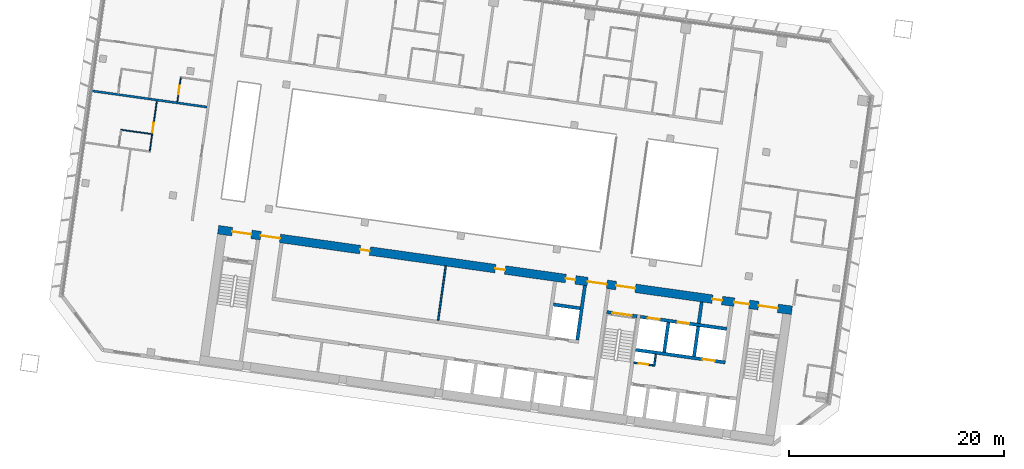
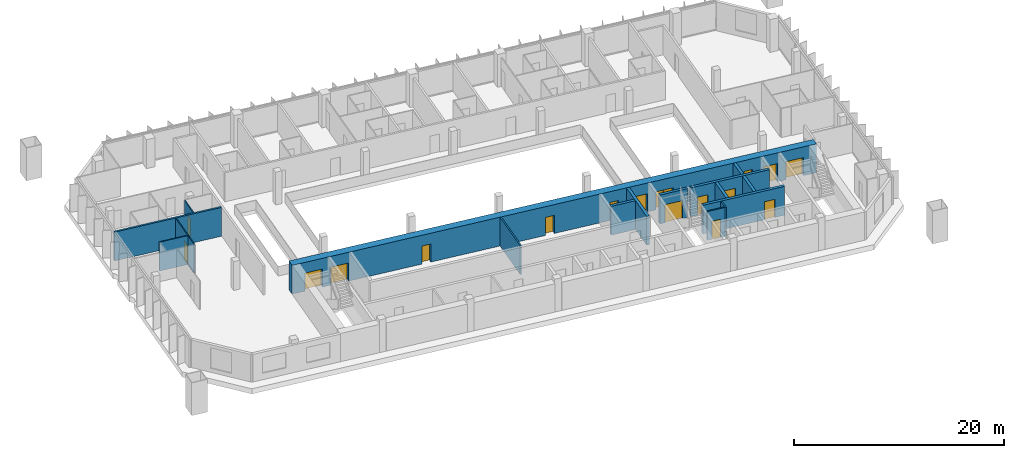
# One storey, part 16 of 26: 17 doors, 16 walls, 17 openings.
"""IFC4 building model written with IfcOpenShell, lengths in metres."""

from ifc_helpers import new_model, si_unit, direction, frame, frame_2d, origin, place, context, subcontext, project, spatial, rectangle, extrude, material, layer, layer_set, type_object, element, fill, save


model = new_model("IFC4")

# Units and contexts
model_context = context("Model", 3, precision=1e-05, world=origin(), true_north=direction((0.0, 1.0)))
body_context = subcontext(model_context, "Body", "Model", "MODEL_VIEW")
ifc_project = project(units=[si_unit("LENGTHUNIT", "METRE"), si_unit("AREAUNIT", "SQUARE_METRE"), si_unit("VOLUMEUNIT", "CUBIC_METRE"), si_unit("PLANEANGLEUNIT", "RADIAN"), si_unit("MASSUNIT", "GRAM", prefix="KILO")], contexts=[model_context])

# Site, building, storey
site_placement = place(None, origin())
site = spatial("IfcSite", under=ifc_project, at=site_placement, CompositionType="ELEMENT")
building_placement = place(site_placement, origin())
building = spatial("IfcBuilding", under=site, at=building_placement, Name="Mirante Cascada Hotel Towers", CompositionType="ELEMENT")
storey_placement = place(building_placement, frame((0.0, 0.0, 144.3)))
storey = spatial("IfcBuildingStorey", under=building, at=storey_placement, Name="L33", CompositionType="ELEMENT", Elevation=144.3)

# Walls
ifc_material_1 = material(Name="Fire-rated plasterboard on metal studs")
ifc_layer_1 = layer(ifc_material_1, 0.2)
ifc_layer_set_1 = layer_set([ifc_layer_1], Name="Compartment wall 200 EI 120")
wall_type_1 = type_object("IfcWallType", Name="Compartment wall 200 EI 120", PredefinedType="PARTITIONING", material=ifc_layer_set_1)
wall_1_placement = place(storey_placement, frame((-89.7337, 11.2758, 0.0), z_axis=(0.0, 0.0, 1.0), x_axis=(-0.990268, 0.1391733, 0.0)))
element("IfcWall", 1, at=wall_1_placement, inside=storey, type_object=wall_type_1, Name="Wall 1-L33-12", PredefinedType="PARTITIONING", context=body_context, shape_type="SweptSolid", body=[
    extrude(rectangle(XDim=11.0, YDim=0.2, at=frame_2d((5.5, 0.0))), origin(), (0.0, 0.0, 1.0), 3.35),
])
ifc_material_2 = material(Name="Masonry block", Category="masonry")
ifc_layer_2 = layer(ifc_material_2, 0.15)
ifc_layer_set_2 = layer_set([ifc_layer_2], Name="Core room partition 150 block EI 30")
wall_type_2 = type_object("IfcWallType", Name="Core room partition 150 block EI 30", PredefinedType="PARTITIONING", material=ifc_layer_set_2)
wall_2_placement = place(storey_placement, frame((-48.2295, -12.793, 0.0), z_axis=(0.0, 0.0, 1.0), x_axis=(0.1391935, 0.9902652, 0.0)))
element("IfcWall", 2, at=wall_2_placement, inside=storey, type_object=wall_type_2, Name="Core wall partition T1 L33 2", PredefinedType="PARTITIONING", context=body_context, shape_type="SweptSolid", body=[
    extrude(rectangle(XDim=1.1251, YDim=0.15, at=frame_2d((0.5626, 0.0))), origin(), (0.0, 0.0, 1.0), 3.35),
])

# Wall, opening, door
wall_3_placement = place(storey_placement, frame((-48.2933, -12.7083, 0.0), z_axis=(0.0, 0.0, 1.0), x_axis=(-0.990268, 0.1391734, 0.0)))
wall_3 = element("IfcWall", 3, at=wall_3_placement, inside=storey, type_object=wall_type_2, Name="Core wall partition T1 L33 3", PredefinedType="PARTITIONING", context=body_context, shape_type="SweptSolid", body=[
    extrude(rectangle(XDim=1.8251, YDim=0.15, at=frame_2d((0.9126, 0.0))), origin(), (0.0, 0.0, 1.0), 3.35),
])
opening_1_placement = place(wall_3_placement, frame((0.4625, 0.0, 0.0)))
opening_1 = element("IfcOpeningElement", 4, at=opening_1_placement, cuts=wall_3, Name="Opening D1-33-C23", PredefinedType="OPENING", context=body_context, shape_type="SweptSolid", body=[
    extrude(rectangle(XDim=0.9, YDim=2.1, at=frame_2d((0.45, 1.05))), frame((0.0, 0.075, 0.0), z_axis=(0.0, -1.0, 0.0), x_axis=(1.0, 0.0, 0.0)), (0.0, 0.0, 1.0), 0.15),
])
ifc_material_3 = material(Name="Hollow metal fire door leaf")
door_type_1 = type_object("IfcDoorType", Name="Fire door 900x2100 FD60", OperationType="NOTDEFINED", PredefinedType="DOOR", material=ifc_material_3)
door_1_placement = place(opening_1_placement, origin())
door_1 = element("IfcDoor", 5, at=door_1_placement, inside=storey, type_object=door_type_1, Name="Riser door T1 L33 23", OperationType="SINGLE_SWING_LEFT", OverallHeight=2.1, OverallWidth=0.9, PredefinedType="DOOR", context=body_context, shape_type="SweptSolid", body=[
    extrude(rectangle(XDim=0.9, YDim=2.1, at=frame_2d((0.45, 1.05))), frame((0.0, 0.025, 0.0), z_axis=(0.0, -1.0, 0.0), x_axis=(1.0, 0.0, 0.0)), (0.0, 0.0, 1.0), 0.05),
])
fill(opening_1, door_1)

# Walls
wall_4_placement = place(storey_placement, frame((-68.2822, -8.5358, 0.0), z_axis=(0.0, 0.0, 1.0), x_axis=(0.1391755, 0.9902677, 0.0)))
element("IfcWall", 6, at=wall_4_placement, inside=storey, type_object=wall_type_2, Name="Core wall partition T1 L33 6", PredefinedType="PARTITIONING", context=body_context, shape_type="SweptSolid", body=[
    extrude(rectangle(XDim=5.1, YDim=0.15, at=frame_2d((2.55, 0.0))), origin(), (0.0, 0.0, 1.0), 3.35),
])
ifc_material_4 = material(Name="Masonry block", Category="masonry")
ifc_layer_3 = layer(ifc_material_4, 0.3)
ifc_layer_set_3 = layer_set([ifc_layer_3], Name="Core wall 300 block EI 120")
wall_type_3 = type_object("IfcWallType", Name="Core wall 300 block EI 120", PredefinedType="PARTITIONING", material=ifc_layer_set_3)
wall_5_placement = place(storey_placement, frame((-44.0843, -8.8061, 0.0), z_axis=(0.0, 0.0, 1.0), x_axis=(0.1391951, 0.990265, 0.0)))
element("IfcWall", 7, at=wall_5_placement, inside=storey, type_object=wall_type_3, Name="Core wall partition T1 L33 1", PredefinedType="PARTITIONING", context=body_context, shape_type="SweptSolid", body=[
    extrude(rectangle(XDim=2.0001, YDim=0.3, at=frame_2d((1.0001, 0.0))), origin(), (0.0, 0.0, 1.0), 3.35),
])
ifc_material_5 = material(Name="Plasterboard on metal studs")
ifc_layer_4 = layer(ifc_material_5, 0.1)
ifc_layer_set_4 = layer_set([ifc_layer_4], Name="Partition 100")
wall_type_4 = type_object("IfcWallType", Name="Partition 100", PredefinedType="PARTITIONING", material=ifc_layer_set_4)
wall_6_placement = place(storey_placement, frame((-94.8828, 8.768, 0.0), z_axis=(0.0, 0.0, 1.0), x_axis=(-0.9902683, 0.1391714, 0.0)))
element("IfcWall", 8, at=wall_6_placement, inside=storey, type_object=wall_type_4, Name="Wall 1-L33-08", PredefinedType="PARTITIONING", context=body_context, shape_type="SweptSolid", body=[
    extrude(rectangle(XDim=2.9, YDim=0.1, at=frame_2d((1.45, 0.0))), origin(), (0.0, 0.0, 1.0), 3.35),
])

# Wall, opening, door
wall_7_placement = place(storey_placement, frame((-92.4925, 11.7645, 0.0), z_axis=(0.0, 0.0, 1.0), x_axis=(0.1391561, 0.9902705, 0.0)))
wall_7 = element("IfcWall", 9, at=wall_7_placement, inside=storey, type_object=wall_type_4, Name="Wall 1-L33-58", PredefinedType="PARTITIONING", context=body_context, shape_type="SweptSolid", body=[
    extrude(rectangle(XDim=2.25, YDim=0.1, at=frame_2d((1.125, 0.0))), origin(), (0.0, 0.0, 1.0), 3.35),
])
opening_2_placement = place(wall_7_placement, frame((0.7, 0.0, 0.0)))
opening_2 = element("IfcOpeningElement", 10, at=opening_2_placement, cuts=wall_7, Name="Opening D1-L33-35", PredefinedType="OPENING", context=body_context, shape_type="SweptSolid", body=[
    extrude(rectangle(XDim=0.8, YDim=2.1, at=frame_2d((0.4, 1.05))), frame((0.0, 0.05, 0.0), z_axis=(0.0, -1.0, 0.0), x_axis=(1.0, 0.0, 0.0)), (0.0, 0.0, 1.0), 0.1),
])
ifc_material_6 = material(Name="Timber door leaf", Category="wood")
door_type_2 = type_object("IfcDoorType", Name="Bathroom door DG4 800x2100", OperationType="SINGLE_SWING_LEFT", PredefinedType="DOOR", material=ifc_material_6)
door_2_placement = place(opening_2_placement, frame((0.8, 0.0, 0.0), z_axis=(0.0, 0.0, 1.0), x_axis=(-1.0, 0.0, 0.0)))
door_2 = element("IfcDoor", 11, at=door_2_placement, inside=storey, type_object=door_type_2, Name="Door D1-L33-35", OperationType="SINGLE_SWING_RIGHT", OverallHeight=2.1, OverallWidth=0.8, PredefinedType="DOOR", context=body_context, shape_type="SweptSolid", body=[
    extrude(rectangle(XDim=0.8, YDim=2.1, at=frame_2d((0.4, 1.05))), frame((0.0, 0.025, 0.0), z_axis=(0.0, -1.0, 0.0), x_axis=(1.0, 0.0, 0.0)), (0.0, 0.0, 1.0), 0.05),
])
fill(opening_2, door_2)

wall_8_placement = place(storey_placement, frame((-94.4019, 11.8309, 0.0), z_axis=(0.0, 0.0, 1.0), x_axis=(-0.139176, -0.9902677, 0.0)))
wall_8 = element("IfcWall", 12, at=wall_8_placement, inside=storey, type_object=wall_type_4, Name="Wall 1-L33-59", PredefinedType="PARTITIONING", context=body_context, shape_type="SweptSolid", body=[
    extrude(rectangle(XDim=4.6833, YDim=0.1, at=frame_2d((2.3416, 0.0))), origin(), (0.0, 0.0, 1.0), 3.35),
])
opening_3_placement = place(wall_8_placement, frame((2.05, 0.0, 0.0)))
opening_3 = element("IfcOpeningElement", 13, at=opening_3_placement, cuts=wall_8, Name="Opening D1-L33-36", PredefinedType="OPENING", context=body_context, shape_type="SweptSolid", body=[
    extrude(rectangle(XDim=0.9, YDim=2.1, at=frame_2d((0.45, 1.05))), frame((0.0, 0.05, 0.0), z_axis=(0.0, -1.0, 0.0), x_axis=(1.0, 0.0, 0.0)), (0.0, 0.0, 1.0), 0.1),
])
ifc_material_7 = material(Name="Timber door leaf", Category="wood")
door_type_3 = type_object("IfcDoorType", Name="Room door DG3 900x2100", OperationType="SINGLE_SWING_LEFT", PredefinedType="DOOR", material=ifc_material_7)
door_3_placement = place(opening_3_placement, origin())
door_3 = element("IfcDoor", 14, at=door_3_placement, inside=storey, type_object=door_type_3, Name="Door D1-L33-36", OperationType="SINGLE_SWING_LEFT", OverallHeight=2.1, OverallWidth=0.9, PredefinedType="DOOR", context=body_context, shape_type="SweptSolid", body=[
    extrude(rectangle(XDim=0.9, YDim=2.1, at=frame_2d((0.45, 1.05))), frame((0.0, 0.025, 0.0), z_axis=(0.0, -1.0, 0.0), x_axis=(1.0, 0.0, 0.0)), (0.0, 0.0, 1.0), 0.05),
])
fill(opening_3, door_3)

ifc_material_8 = material(Name="Concrete C50/60", Category="concrete")
ifc_layer_5 = layer(ifc_material_8, 0.3)
ifc_layer_set_5 = layer_set([ifc_layer_5], Name="RC core wall 300 C50/60")
wall_type_5 = type_object("IfcWallType", Name="RC core wall 300 C50/60", PredefinedType="SHEAR", material=ifc_layer_set_5)
wall_9_placement = place(storey_placement, frame((-49.7992, -8.1544, 0.0), z_axis=(0.0, 0.0, 1.0), x_axis=(-0.9902656, 0.1391909, 0.0)))
wall_9 = element("IfcWall", 15, at=wall_9_placement, inside=storey, type_object=wall_type_5, Name="Core wall T1:L33:10", PredefinedType="SHEAR", context=body_context, shape_type="SweptSolid", body=[
    extrude(rectangle(XDim=2.85, YDim=0.3, at=frame_2d((1.425, 0.0))), origin(), (0.0, 0.0, 1.0), 3.35),
])
opening_4_placement = place(wall_9_placement, frame((0.525, 0.0, 0.0)))
opening_4 = element("IfcOpeningElement", 16, at=opening_4_placement, cuts=wall_9, Name="Opening D1-33-C15", PredefinedType="OPENING", context=body_context, shape_type="SweptSolid", body=[
    extrude(rectangle(XDim=1.8, YDim=2.1, at=frame_2d((0.9, 1.05))), frame((0.0, 0.15, 0.0), z_axis=(0.0, -1.0, 0.0), x_axis=(1.0, 0.0, 0.0)), (0.0, 0.0, 1.0), 0.3),
])
ifc_material_9 = material(Name="Hollow metal fire door leaf")
door_type_4 = type_object("IfcDoorType", Name="Double fire door 1800x2100 FD60", OperationType="DOUBLE_DOOR_SINGLE_SWING", PredefinedType="DOOR", material=ifc_material_9)
door_4_placement = place(opening_4_placement, origin())
door_4 = element("IfcDoor", 17, at=door_4_placement, inside=storey, type_object=door_type_4, Name="Stair door T1 L33 15", OperationType="DOUBLE_DOOR_SINGLE_SWING", OverallHeight=2.1, OverallWidth=1.8, PredefinedType="DOOR", context=body_context, shape_type="SweptSolid", body=[
    extrude(rectangle(XDim=0.895, YDim=2.1, at=frame_2d((0.4475, 1.05))), frame((0.0, 0.025, 0.0), z_axis=(0.0, -1.0, 0.0), x_axis=(1.0, 0.0, 0.0)), (0.0, 0.0, 1.0), 0.05),
    extrude(rectangle(XDim=0.895, YDim=2.1, at=frame_2d((1.3525, 1.05))), frame((0.0, 0.025, 0.0), z_axis=(0.0, -1.0, 0.0), x_axis=(1.0, 0.0, 0.0)), (0.0, 0.0, 1.0), 0.05),
])
fill(opening_4, door_4)

wall_10_placement = place(storey_placement, frame((-41.6153, -12.435, 0.0), z_axis=(0.0, 0.0, 1.0), x_axis=(-0.9902691, 0.139166, 0.0)))
wall_10 = element("IfcWall", 18, at=wall_10_placement, inside=storey, type_object=wall_type_5, Name="Core wall T1:L33:13", PredefinedType="SHEAR", context=body_context, shape_type="SweptSolid", body=[
    extrude(rectangle(XDim=8.4, YDim=0.3, at=frame_2d((4.2, 0.0))), origin(), (0.0, 0.0, 1.0), 3.35),
])
opening_5_placement = place(wall_10_placement, frame((1.0, 0.0, 0.0)))
opening_5 = element("IfcOpeningElement", 19, at=opening_5_placement, cuts=wall_10, Name="Opening LD", PredefinedType="OPENING", context=body_context, shape_type="SweptSolid", body=[
    extrude(rectangle(XDim=1.1, YDim=2.1, at=frame_2d((0.55, 1.05))), frame((0.0, 0.15, 0.0), z_axis=(0.0, -1.0, 0.0), x_axis=(1.0, 0.0, 0.0)), (0.0, 0.0, 1.0), 0.3),
])
ifc_material_10 = material(Name="Stainless steel", Category="steel")
door_type_5 = type_object("IfcDoorType", Name="Lift landing door 1100x2100 EI 120", OperationType="DOUBLE_DOOR_SLIDING", PredefinedType="DOOR", material=ifc_material_10)
door_5_placement = place(opening_5_placement, origin())
door_5 = element("IfcDoor", 20, at=door_5_placement, inside=storey, type_object=door_type_5, Name="Lift landing door HR1-4 L33", OperationType="DOUBLE_DOOR_SLIDING", OverallHeight=2.1, OverallWidth=1.1, PredefinedType="DOOR", context=body_context, shape_type="SweptSolid", body=[
    extrude(rectangle(XDim=0.545, YDim=2.1, at=frame_2d((0.2725, 1.05))), frame((0.0, 0.025, 0.0), z_axis=(0.0, -1.0, 0.0), x_axis=(1.0, 0.0, 0.0)), (0.0, 0.0, 1.0), 0.05),
    extrude(rectangle(XDim=0.545, YDim=2.1, at=frame_2d((0.8275, 1.05))), frame((0.0, 0.025, 0.0), z_axis=(0.0, -1.0, 0.0), x_axis=(1.0, 0.0, 0.0)), (0.0, 0.0, 1.0), 0.05),
])
fill(opening_5, door_5)

# Wall, openings, doors
wall_11_placement = place(storey_placement, frame((-41.481, -9.3234, 0.0), z_axis=(0.0, 0.0, 1.0), x_axis=(-0.9902679, 0.1391741, 0.0)))
wall_11 = element("IfcWall", 21, at=wall_11_placement, inside=storey, type_object=wall_type_5, Name="Core wall T1:L33:14", PredefinedType="SHEAR", context=body_context, shape_type="SweptSolid", body=[
    extrude(rectangle(XDim=8.0999, YDim=0.3, at=frame_2d((4.05, 0.0))), origin(), (0.0, 0.0, 1.0), 3.35),
])
opening_6_placement = place(wall_11_placement, frame((3.5, 0.0, 0.0)))
opening_6 = element("IfcOpeningElement", 22, at=opening_6_placement, cuts=wall_11, Name="Opening LD", PredefinedType="OPENING", context=body_context, shape_type="SweptSolid", body=[
    extrude(rectangle(XDim=1.1, YDim=2.1, at=frame_2d((0.55, 1.05))), frame((0.0, 0.15, 0.0), z_axis=(0.0, -1.0, 0.0), x_axis=(1.0, 0.0, 0.0)), (0.0, 0.0, 1.0), 0.3),
])
opening_7_placement = place(wall_11_placement, frame((6.3, 0.0, 0.0)))
opening_7 = element("IfcOpeningElement", 23, at=opening_7_placement, cuts=wall_11, Name="Opening LD", PredefinedType="OPENING", context=body_context, shape_type="SweptSolid", body=[
    extrude(rectangle(XDim=1.1, YDim=2.1, at=frame_2d((0.55, 1.05))), frame((0.0, 0.15, 0.0), z_axis=(0.0, -1.0, 0.0), x_axis=(1.0, 0.0, 0.0)), (0.0, 0.0, 1.0), 0.3),
])
door_6_placement = place(opening_6_placement, origin())
door_6 = element("IfcDoor", 24, at=door_6_placement, inside=storey, type_object=door_type_5, Name="Lift landing door FF1 L33", OperationType="DOUBLE_DOOR_SLIDING", OverallHeight=2.1, OverallWidth=1.1, PredefinedType="DOOR", context=body_context, shape_type="SweptSolid", body=[
    extrude(rectangle(XDim=0.545, YDim=2.1, at=frame_2d((0.2725, 1.05))), frame((0.0, 0.025, 0.0), z_axis=(0.0, -1.0, 0.0), x_axis=(1.0, 0.0, 0.0)), (0.0, 0.0, 1.0), 0.05),
    extrude(rectangle(XDim=0.545, YDim=2.1, at=frame_2d((0.8275, 1.05))), frame((0.0, 0.025, 0.0), z_axis=(0.0, -1.0, 0.0), x_axis=(1.0, 0.0, 0.0)), (0.0, 0.0, 1.0), 0.05),
])
fill(opening_6, door_6)
door_7_placement = place(opening_7_placement, origin())
door_7 = element("IfcDoor", 25, at=door_7_placement, inside=storey, type_object=door_type_5, Name="Lift landing door FF2 L33", OperationType="DOUBLE_DOOR_SLIDING", OverallHeight=2.1, OverallWidth=1.1, PredefinedType="DOOR", context=body_context, shape_type="SweptSolid", body=[
    extrude(rectangle(XDim=0.545, YDim=2.1, at=frame_2d((0.2725, 1.05))), frame((0.0, 0.025, 0.0), z_axis=(0.0, -1.0, 0.0), x_axis=(1.0, 0.0, 0.0)), (0.0, 0.0, 1.0), 0.05),
    extrude(rectangle(XDim=0.545, YDim=2.1, at=frame_2d((0.8275, 1.05))), frame((0.0, 0.025, 0.0), z_axis=(0.0, -1.0, 0.0), x_axis=(1.0, 0.0, 0.0)), (0.0, 0.0, 1.0), 0.05),
])
fill(opening_7, door_7)

# Walls
for number, where, z_axis, x_axis, name in (
    (26, (-44.5157, -11.8759, 0.0), (0.0, 0.0, 1.0), (0.139181, 0.990267, 0.0), "Core wall T1:L33:18"),
    (27, (-47.2885, -11.4862, 0.0), (0.0, 0.0, 1.0), (0.139181, 0.990267, 0.0), "Core wall T1:L33:19"),
):
    element("IfcWall", number, at=place(storey_placement, frame(where, z_axis=z_axis, x_axis=x_axis)), inside=storey, type_object=wall_type_5, Name=name, PredefinedType="SHEAR", context=body_context, shape_type="SweptSolid", body=[
        extrude(rectangle(XDim=2.8, YDim=0.3, at=frame_2d((1.4, 0.0))), origin(), (0.0, 0.0, 1.0), 3.35),
    ])
wall_12_placement = place(storey_placement, frame((-55.3592, -10.352, 0.0), z_axis=(0.0, 0.0, 1.0), x_axis=(0.1391755, 0.9902677, 0.0)))
element("IfcWall", 28, at=wall_12_placement, inside=storey, type_object=wall_type_5, Name="Core wall T1:L33:33", PredefinedType="SHEAR", context=body_context, shape_type="SweptSolid", body=[
    extrude(rectangle(XDim=5.1, YDim=0.3, at=frame_2d((2.55, 0.0))), origin(), (0.0, 0.0, 1.0), 3.35),
])
wall_13_placement = place(storey_placement, frame((-55.0971, -7.4098, 0.0), z_axis=(0.0, 0.0, 1.0), x_axis=(-0.9902701, 0.1391586, 0.0)))
element("IfcWall", 29, at=wall_13_placement, inside=storey, type_object=wall_type_5, Name="Core wall T1:L33:36", PredefinedType="SHEAR", context=body_context, shape_type="SweptSolid", body=[
    extrude(rectangle(XDim=2.5, YDim=0.3, at=frame_2d((1.25, 0.0))), origin(), (0.0, 0.0, 1.0), 3.35),
])

# Wall, openings, doors
ifc_material_11 = material(Name="Concrete C50/60", Category="concrete")
ifc_layer_6 = layer(ifc_material_11, 0.8)
ifc_layer_set_6 = layer_set([ifc_layer_6], Name="RC core wall 800 C50/60")
wall_type_6 = type_object("IfcWallType", Name="RC core wall 800 C50/60", PredefinedType="SHEAR", material=ifc_layer_set_6)
wall_14_placement = place(storey_placement, frame((-35.432, -7.5985, 0.0), z_axis=(0.0, 0.0, 1.0), x_axis=(-0.9902681, 0.1391729, 0.0)))
wall_14 = element("IfcWall", 30, at=wall_14_placement, inside=storey, type_object=wall_type_6, Name="Core wall T1:L33:2", PredefinedType="SHEAR", context=body_context, shape_type="SweptSolid", body=[
    extrude(rectangle(XDim=53.8, YDim=0.8, at=frame_2d((26.9, 0.0))), origin(), (0.0, 0.0, 1.0), 3.35),
])
opening_8_placement = place(wall_14_placement, frame((1.325, 0.0, 0.0)))
opening_8 = element("IfcOpeningElement", 31, at=opening_8_placement, cuts=wall_14, Name="Opening D1-33-C14", PredefinedType="OPENING", context=body_context, shape_type="SweptSolid", body=[
    extrude(rectangle(XDim=1.8, YDim=2.1, at=frame_2d((0.9, 1.05))), frame((0.0, 0.4, 0.0), z_axis=(0.0, -1.0, 0.0), x_axis=(1.0, 0.0, 0.0)), (0.0, 0.0, 1.0), 0.8),
])
opening_9_placement = place(wall_14_placement, frame((14.675, 0.0, 0.0)))
opening_9 = element("IfcOpeningElement", 32, at=opening_9_placement, cuts=wall_14, Name="Opening D1-33-C16", PredefinedType="OPENING", context=body_context, shape_type="SweptSolid", body=[
    extrude(rectangle(XDim=1.8, YDim=2.1, at=frame_2d((0.9, 1.05))), frame((0.0, 0.4, 0.0), z_axis=(0.0, -1.0, 0.0), x_axis=(1.0, 0.0, 0.0)), (0.0, 0.0, 1.0), 0.8),
])
opening_10_placement = place(wall_14_placement, frame((50.675, 0.0, 0.0)))
opening_10 = element("IfcOpeningElement", 33, at=opening_10_placement, cuts=wall_14, Name="Opening D1-33-C18", PredefinedType="OPENING", context=body_context, shape_type="SweptSolid", body=[
    extrude(rectangle(XDim=1.8, YDim=2.1, at=frame_2d((0.9, 1.05))), frame((0.0, 0.4, 0.0), z_axis=(0.0, -1.0, 0.0), x_axis=(1.0, 0.0, 0.0)), (0.0, 0.0, 1.0), 0.8),
])
opening_11_placement = place(wall_14_placement, frame((4.0, 0.0, 0.0)))
opening_11 = element("IfcOpeningElement", 34, at=opening_11_placement, cuts=wall_14, Name="Opening D1-33-C19", PredefinedType="OPENING", context=body_context, shape_type="SweptSolid", body=[
    extrude(rectangle(XDim=1.4, YDim=2.1, at=frame_2d((0.7, 1.05))), frame((0.0, 0.4, 0.0), z_axis=(0.0, -1.0, 0.0), x_axis=(1.0, 0.0, 0.0)), (0.0, 0.0, 1.0), 0.8),
])
opening_12_placement = place(wall_14_placement, frame((17.35, 0.0, 0.0)))
opening_12 = element("IfcOpeningElement", 35, at=opening_12_placement, cuts=wall_14, Name="Opening D1-33-C20", PredefinedType="OPENING", context=body_context, shape_type="SweptSolid", body=[
    extrude(rectangle(XDim=1.8, YDim=2.1, at=frame_2d((0.9, 1.05))), frame((0.0, 0.4, 0.0), z_axis=(0.0, -1.0, 0.0), x_axis=(1.0, 0.0, 0.0)), (0.0, 0.0, 1.0), 0.8),
])
opening_13_placement = place(wall_14_placement, frame((48.0, 0.0, 0.0)))
opening_13 = element("IfcOpeningElement", 36, at=opening_13_placement, cuts=wall_14, Name="Opening D1-33-C21", PredefinedType="OPENING", context=body_context, shape_type="SweptSolid", body=[
    extrude(rectangle(XDim=1.8, YDim=2.1, at=frame_2d((0.9, 1.05))), frame((0.0, 0.4, 0.0), z_axis=(0.0, -1.0, 0.0), x_axis=(1.0, 0.0, 0.0)), (0.0, 0.0, 1.0), 0.8),
])
opening_14_placement = place(wall_14_placement, frame((6.55, 0.0, 0.0)))
opening_14 = element("IfcOpeningElement", 37, at=opening_14_placement, cuts=wall_14, Name="Opening D1-33-C24", PredefinedType="OPENING", context=body_context, shape_type="SweptSolid", body=[
    extrude(rectangle(XDim=0.9, YDim=2.1, at=frame_2d((0.45, 1.05))), frame((0.0, 0.4, 0.0), z_axis=(0.0, -1.0, 0.0), x_axis=(1.0, 0.0, 0.0)), (0.0, 0.0, 1.0), 0.8),
])
opening_15_placement = place(wall_14_placement, frame((20.3, 0.0, 0.0)))
opening_15 = element("IfcOpeningElement", 38, at=opening_15_placement, cuts=wall_14, Name="Opening D1-33-C28", PredefinedType="OPENING", context=body_context, shape_type="SweptSolid", body=[
    extrude(rectangle(XDim=0.9, YDim=2.1, at=frame_2d((0.45, 1.05))), frame((0.0, 0.4, 0.0), z_axis=(0.0, -1.0, 0.0), x_axis=(1.0, 0.0, 0.0)), (0.0, 0.0, 1.0), 0.8),
])
opening_16_placement = place(wall_14_placement, frame((26.9, 0.0, 0.0)))
opening_16 = element("IfcOpeningElement", 39, at=opening_16_placement, cuts=wall_14, Name="Opening D1-33-C29", PredefinedType="OPENING", context=body_context, shape_type="SweptSolid", body=[
    extrude(rectangle(XDim=0.9, YDim=2.1, at=frame_2d((0.45, 1.05))), frame((0.0, 0.4, 0.0), z_axis=(0.0, -1.0, 0.0), x_axis=(1.0, 0.0, 0.0)), (0.0, 0.0, 1.0), 0.8),
])
opening_17_placement = place(wall_14_placement, frame((39.575, 0.0, 0.0)))
opening_17 = element("IfcOpeningElement", 40, at=opening_17_placement, cuts=wall_14, Name="Opening D1-33-C30", PredefinedType="OPENING", context=body_context, shape_type="SweptSolid", body=[
    extrude(rectangle(XDim=0.9, YDim=2.1, at=frame_2d((0.45, 1.05))), frame((0.0, 0.4, 0.0), z_axis=(0.0, -1.0, 0.0), x_axis=(1.0, 0.0, 0.0)), (0.0, 0.0, 1.0), 0.8),
])
ifc_material_12 = material(Name="Hollow metal fire door leaf")
door_type_6 = type_object("IfcDoorType", Name="Double fire door 1400x2100 FD60", OperationType="DOUBLE_DOOR_SINGLE_SWING", PredefinedType="DOOR", material=ifc_material_12)
door_8_placement = place(opening_11_placement, frame((1.4, 0.0, 0.0), z_axis=(0.0, 0.0, 1.0), x_axis=(-1.0, 0.0, 0.0)))
door_8 = element("IfcDoor", 41, at=door_8_placement, inside=storey, type_object=door_type_6, Name="Exit door to gallery T1 L33 19", OperationType="DOUBLE_DOOR_SINGLE_SWING", OverallHeight=2.1, OverallWidth=1.4, PredefinedType="DOOR", context=body_context, shape_type="SweptSolid", body=[
    extrude(rectangle(XDim=0.695, YDim=2.1, at=frame_2d((0.3475, 1.05))), frame((0.0, 0.025, 0.0), z_axis=(0.0, -1.0, 0.0), x_axis=(1.0, 0.0, 0.0)), (0.0, 0.0, 1.0), 0.05),
    extrude(rectangle(XDim=0.695, YDim=2.1, at=frame_2d((1.0525, 1.05))), frame((0.0, 0.025, 0.0), z_axis=(0.0, -1.0, 0.0), x_axis=(1.0, 0.0, 0.0)), (0.0, 0.0, 1.0), 0.05),
])
fill(opening_11, door_8)
door_9_placement = place(opening_8_placement, origin())
door_9 = element("IfcDoor", 42, at=door_9_placement, inside=storey, type_object=door_type_4, Name="Exit door to gallery T1 L33 14", OperationType="DOUBLE_DOOR_SINGLE_SWING", OverallHeight=2.1, OverallWidth=1.8, PredefinedType="DOOR", context=body_context, shape_type="SweptSolid", body=[
    extrude(rectangle(XDim=0.895, YDim=2.1, at=frame_2d((0.4475, 1.05))), frame((0.0, 0.025, 0.0), z_axis=(0.0, -1.0, 0.0), x_axis=(1.0, 0.0, 0.0)), (0.0, 0.0, 1.0), 0.05),
    extrude(rectangle(XDim=0.895, YDim=2.1, at=frame_2d((1.3525, 1.05))), frame((0.0, 0.025, 0.0), z_axis=(0.0, -1.0, 0.0), x_axis=(1.0, 0.0, 0.0)), (0.0, 0.0, 1.0), 0.05),
])
fill(opening_8, door_9)
door_10_placement = place(opening_9_placement, origin())
door_10 = element("IfcDoor", 43, at=door_10_placement, inside=storey, type_object=door_type_4, Name="Exit door to gallery T1 L33 16", OperationType="DOUBLE_DOOR_SINGLE_SWING", OverallHeight=2.1, OverallWidth=1.8, PredefinedType="DOOR", context=body_context, shape_type="SweptSolid", body=[
    extrude(rectangle(XDim=0.895, YDim=2.1, at=frame_2d((0.4475, 1.05))), frame((0.0, 0.025, 0.0), z_axis=(0.0, -1.0, 0.0), x_axis=(1.0, 0.0, 0.0)), (0.0, 0.0, 1.0), 0.05),
    extrude(rectangle(XDim=0.895, YDim=2.1, at=frame_2d((1.3525, 1.05))), frame((0.0, 0.025, 0.0), z_axis=(0.0, -1.0, 0.0), x_axis=(1.0, 0.0, 0.0)), (0.0, 0.0, 1.0), 0.05),
])
fill(opening_9, door_10)
door_11_placement = place(opening_10_placement, origin())
door_11 = element("IfcDoor", 44, at=door_11_placement, inside=storey, type_object=door_type_4, Name="Exit door to gallery T1 L33 18", OperationType="DOUBLE_DOOR_SINGLE_SWING", OverallHeight=2.1, OverallWidth=1.8, PredefinedType="DOOR", context=body_context, shape_type="SweptSolid", body=[
    extrude(rectangle(XDim=0.895, YDim=2.1, at=frame_2d((0.4475, 1.05))), frame((0.0, 0.025, 0.0), z_axis=(0.0, -1.0, 0.0), x_axis=(1.0, 0.0, 0.0)), (0.0, 0.0, 1.0), 0.05),
    extrude(rectangle(XDim=0.895, YDim=2.1, at=frame_2d((1.3525, 1.05))), frame((0.0, 0.025, 0.0), z_axis=(0.0, -1.0, 0.0), x_axis=(1.0, 0.0, 0.0)), (0.0, 0.0, 1.0), 0.05),
])
fill(opening_10, door_11)
door_12_placement = place(opening_12_placement, frame((1.8, 0.0, 0.0), z_axis=(0.0, 0.0, 1.0), x_axis=(-1.0, 0.0, 0.0)))
door_12 = element("IfcDoor", 45, at=door_12_placement, inside=storey, type_object=door_type_4, Name="Exit door to gallery T1 L33 20", OperationType="DOUBLE_DOOR_SINGLE_SWING", OverallHeight=2.1, OverallWidth=1.8, PredefinedType="DOOR", context=body_context, shape_type="SweptSolid", body=[
    extrude(rectangle(XDim=0.895, YDim=2.1, at=frame_2d((0.4475, 1.05))), frame((0.0, 0.025, 0.0), z_axis=(0.0, -1.0, 0.0), x_axis=(1.0, 0.0, 0.0)), (0.0, 0.0, 1.0), 0.05),
    extrude(rectangle(XDim=0.895, YDim=2.1, at=frame_2d((1.3525, 1.05))), frame((0.0, 0.025, 0.0), z_axis=(0.0, -1.0, 0.0), x_axis=(1.0, 0.0, 0.0)), (0.0, 0.0, 1.0), 0.05),
])
fill(opening_12, door_12)
door_13_placement = place(opening_13_placement, frame((1.8, 0.0, 0.0), z_axis=(0.0, 0.0, 1.0), x_axis=(-1.0, 0.0, 0.0)))
door_13 = element("IfcDoor", 46, at=door_13_placement, inside=storey, type_object=door_type_4, Name="Exit door to gallery T1 L33 21", OperationType="DOUBLE_DOOR_SINGLE_SWING", OverallHeight=2.1, OverallWidth=1.8, PredefinedType="DOOR", context=body_context, shape_type="SweptSolid", body=[
    extrude(rectangle(XDim=0.895, YDim=2.1, at=frame_2d((0.4475, 1.05))), frame((0.0, 0.025, 0.0), z_axis=(0.0, -1.0, 0.0), x_axis=(1.0, 0.0, 0.0)), (0.0, 0.0, 1.0), 0.05),
    extrude(rectangle(XDim=0.895, YDim=2.1, at=frame_2d((1.3525, 1.05))), frame((0.0, 0.025, 0.0), z_axis=(0.0, -1.0, 0.0), x_axis=(1.0, 0.0, 0.0)), (0.0, 0.0, 1.0), 0.05),
])
fill(opening_13, door_13)
door_14_placement = place(opening_14_placement, origin())
door_14 = element("IfcDoor", 47, at=door_14_placement, inside=storey, type_object=door_type_1, Name="Room door T1 L33 24", OperationType="SINGLE_SWING_RIGHT", OverallHeight=2.1, OverallWidth=0.9, PredefinedType="DOOR", context=body_context, shape_type="SweptSolid", body=[
    extrude(rectangle(XDim=0.9, YDim=2.1, at=frame_2d((0.45, 1.05))), frame((0.0, 0.025, 0.0), z_axis=(0.0, -1.0, 0.0), x_axis=(1.0, 0.0, 0.0)), (0.0, 0.0, 1.0), 0.05),
])
fill(opening_14, door_14)
door_15_placement = place(opening_15_placement, origin())
door_15 = element("IfcDoor", 48, at=door_15_placement, inside=storey, type_object=door_type_1, Name="Room door T1 L33 28", OperationType="SINGLE_SWING_RIGHT", OverallHeight=2.1, OverallWidth=0.9, PredefinedType="DOOR", context=body_context, shape_type="SweptSolid", body=[
    extrude(rectangle(XDim=0.9, YDim=2.1, at=frame_2d((0.45, 1.05))), frame((0.0, 0.025, 0.0), z_axis=(0.0, -1.0, 0.0), x_axis=(1.0, 0.0, 0.0)), (0.0, 0.0, 1.0), 0.05),
])
fill(opening_15, door_15)
door_16_placement = place(opening_16_placement, origin())
door_16 = element("IfcDoor", 49, at=door_16_placement, inside=storey, type_object=door_type_1, Name="Room door T1 L33 29", OperationType="SINGLE_SWING_LEFT", OverallHeight=2.1, OverallWidth=0.9, PredefinedType="DOOR", context=body_context, shape_type="SweptSolid", body=[
    extrude(rectangle(XDim=0.9, YDim=2.1, at=frame_2d((0.45, 1.05))), frame((0.0, 0.025, 0.0), z_axis=(0.0, -1.0, 0.0), x_axis=(1.0, 0.0, 0.0)), (0.0, 0.0, 1.0), 0.05),
])
fill(opening_16, door_16)
door_17_placement = place(opening_17_placement, origin())
door_17 = element("IfcDoor", 50, at=door_17_placement, inside=storey, type_object=door_type_1, Name="Room door T1 L33 30", OperationType="SINGLE_SWING_LEFT", OverallHeight=2.1, OverallWidth=0.9, PredefinedType="DOOR", context=body_context, shape_type="SweptSolid", body=[
    extrude(rectangle(XDim=0.9, YDim=2.1, at=frame_2d((0.45, 1.05))), frame((0.0, 0.025, 0.0), z_axis=(0.0, -1.0, 0.0), x_axis=(1.0, 0.0, 0.0)), (0.0, 0.0, 1.0), 0.05),
])
fill(opening_17, door_17)

save(model, "model.ifc")
